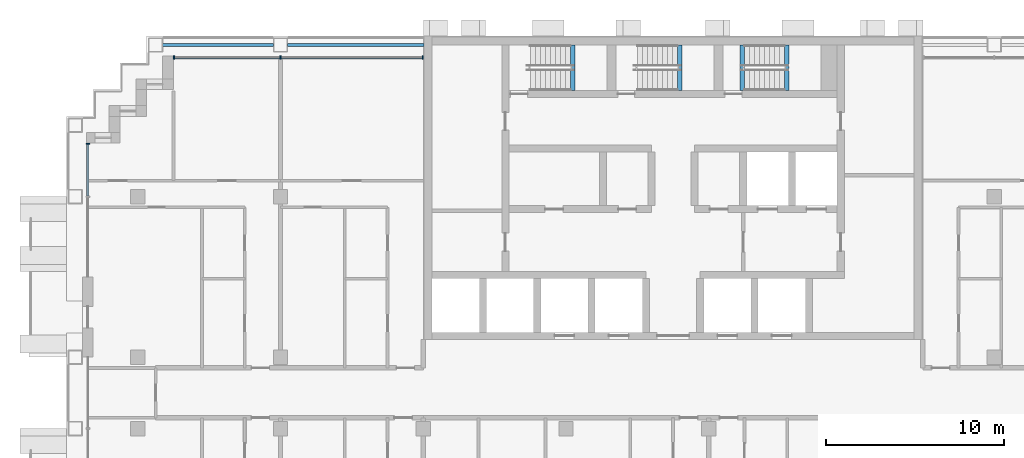
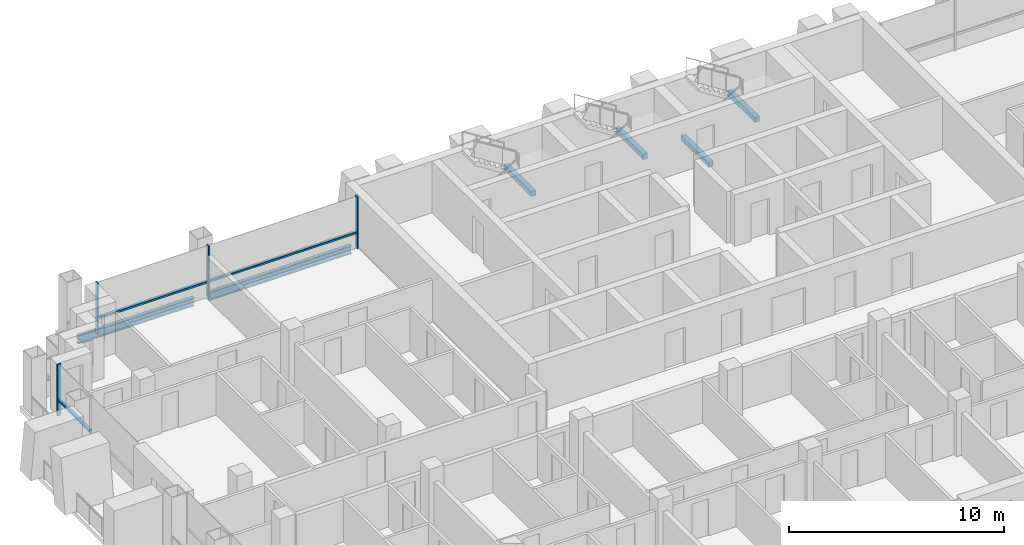
# One storey, part 4 of 17: 7 members, 6 beams, 2 elements without a shape of their own.
"""IFC4 building model written with IfcOpenShell, lengths in metres."""

import ifcopenshell
import ifcopenshell.guid

model = None  # the IFC model being written
_history = None  # IfcOwnerHistory: only IFC2X3 demands one
_inside = {}  # id of a spatial element -> (the spatial element, [elements in it])
_under = {}  # id of a project, library or spatial element -> (it, [spatial elements below it])
_declared = {}  # id of a project -> (the project, [libraries it declares])
_typed = {}  # id of a type object -> (the type object, [elements of that type])
_made_of = {}  # id of a material, layer set ... -> (it, [elements and type objects made of it])


def new_model(schema):
    """Start an empty IFC model of exactly this schema.

    Asked for "IFC4X3", IfcOpenShell would pick the latest addendum, in which some entities
    have other attributes; the version numbers below select the first issue.
    IFC2X3 requires an IfcOwnerHistory on every rooted entity: one is made here for all.
    """
    global model, _history
    if schema == "IFC4X3":
        model = ifcopenshell.file(schema_version=(4, 3, 0, 0))
    else:
        model = ifcopenshell.file(schema=schema)
    _inside.clear()
    _under.clear()
    _declared.clear()
    _typed.clear()
    _made_of.clear()
    _history = None
    if model.schema == "IFC2X3":
        org = make("IfcOrganization", Name="unknown")
        user = make(
            "IfcPersonAndOrganization",
            ThePerson=make("IfcPerson", FamilyName="unknown"),
            TheOrganization=org,
        )
        app = make(
            "IfcApplication",
            ApplicationDeveloper=org,
            Version="unknown",
            ApplicationFullName="unknown",
            ApplicationIdentifier="unknown",
        )
        _history = make(
            "IfcOwnerHistory",
            OwningUser=user,
            OwningApplication=app,
            ChangeAction="ADDED",
            CreationDate=0,
        )
    return model


def make(cls, **values):
    """One entity of the class cls with the attributes given. An attribute that is None is left unset."""
    return model.create_entity(
        cls, **{name: value for name, value in values.items() if value is not None}
    )


def rooted(cls, **values):
    """An entity with a GlobalId (a new one), such as an element, a storey or a relation."""
    return make(cls, GlobalId=ifcopenshell.guid.new(), OwnerHistory=_history, **values)


def si_unit(unit_type, name, prefix=None):
    """IfcSIUnit, for example si_unit("LENGTHUNIT", "METRE", prefix="MILLI")."""
    return make("IfcSIUnit", UnitType=unit_type, Prefix=prefix, Name=name)


def assignment(units):
    """IfcUnitAssignment: the units of a project."""
    return None if units is None else make("IfcUnitAssignment", Units=units)


def point(xyz):
    """IfcCartesianPoint."""
    return None if xyz is None else make("IfcCartesianPoint", Coordinates=xyz)


def direction(xyz):
    """IfcDirection."""
    return None if xyz is None else make("IfcDirection", DirectionRatios=xyz)


def frame(location, z_axis=None, x_axis=None):
    """IfcAxis2Placement3D, a coordinate frame: its origin and axes. An axis left out is left unset."""
    return make(
        "IfcAxis2Placement3D",
        Location=point(location),
        Axis=direction(z_axis),
        RefDirection=direction(x_axis),
    )


def frame_2d(location, x_axis=None):
    """IfcAxis2Placement2D, a coordinate frame in the plane: its origin and x axis."""
    return make(
        "IfcAxis2Placement2D", Location=point(location), RefDirection=direction(x_axis)
    )


def origin():
    """The frame at (0, 0, 0) with its axes left unset."""
    return frame((0.0, 0.0, 0.0))


def origin_2d():
    """The frame at (0, 0) in the plane with its x axis left unset."""
    return frame_2d((0.0, 0.0))


def place(relative_to, where):
    """IfcLocalPlacement: puts the frame where relative to a parent placement (None: the world)."""
    return make(
        "IfcLocalPlacement", PlacementRelTo=relative_to, RelativePlacement=where
    )


def context(
    kind, dimensions, precision=None, world=None, true_north=None, identifier=None
):
    """IfcGeometricRepresentationContext, for example the 3D "Model" context."""
    return make(
        "IfcGeometricRepresentationContext",
        ContextIdentifier=identifier,
        ContextType=kind,
        CoordinateSpaceDimension=dimensions,
        Precision=precision,
        WorldCoordinateSystem=world,
        TrueNorth=true_north,
    )


def subcontext(parent, identifier, kind, view, scale=None):
    """IfcGeometricRepresentationSubContext, for example "Body" below "Model"."""
    return make(
        "IfcGeometricRepresentationSubContext",
        ContextIdentifier=identifier,
        ContextType=kind,
        ParentContext=parent,
        TargetScale=scale,
        TargetView=view,
    )


def project(units=None, contexts=None):
    """IfcProject with its units and contexts."""
    return rooted(
        "IfcProject",
        Name="project",
        RepresentationContexts=contexts,
        UnitsInContext=assignment(units),
    )


def spatial(cls, under=None, at=None, **own):
    """A site, building, storey or space (cls), placed at a placement, below another one or the project."""
    s = rooted(cls, ObjectPlacement=at, **own)
    if under is not None:
        _under.setdefault(under.id(), (under, []))[1].append(s)
    return s


def profile(cls, at=None, kind="AREA", **sizes):
    """A parametric profile (cls). Its sizes go by their IFC names, for example OverallWidth=200.0."""
    return make(cls, ProfileType=kind, Position=at, **sizes)


def rectangle(**sizes):
    """IfcRectangleProfileDef."""
    return profile("IfcRectangleProfileDef", **sizes)


def i_section(**sizes):
    """IfcIShapeProfileDef."""
    return profile("IfcIShapeProfileDef", **sizes)


def extrude(swept, where, along, depth):
    """IfcExtrudedAreaSolid: the profile swept, set in the frame where, extruded along a direction by depth."""
    return make(
        "IfcExtrudedAreaSolid",
        SweptArea=swept,
        Position=where,
        ExtrudedDirection=direction(along),
        Depth=depth,
    )


def shape(context_of_items, identifier, shape_type, items):
    """IfcShapeRepresentation: the items that make up one representation, for example the "Body"."""
    return make(
        "IfcShapeRepresentation",
        ContextOfItems=context_of_items,
        RepresentationIdentifier=identifier,
        RepresentationType=shape_type,
        Items=items,
    )


def material(Name=None, Category=None):
    """IfcMaterial."""
    return make("IfcMaterial", Name=Name, Category=Category)


def material_profile(
    of_material, cross_section, Name=None, Category=None, Priority=None
):
    """IfcMaterialProfile: a cross section and its material."""
    return make(
        "IfcMaterialProfile",
        Name=Name,
        Material=of_material,
        Profile=cross_section,
        Priority=Priority,
        Category=Category,
    )


def profile_set(profiles, Name=None, composite=None):
    """IfcMaterialProfileSet."""
    return make(
        "IfcMaterialProfileSet",
        Name=Name,
        MaterialProfiles=profiles,
        CompositeProfile=composite,
    )


def made_of(thing, what):
    """Note that an element or type object is made of a material, layer set ...; save() writes the relation."""
    if what is not None:
        _made_of.setdefault(what.id(), (what, []))[1].append(thing)
    return thing


def type_object(cls, material=None, **own):
    """A type object (cls), such as IfcWallType, which elements share."""
    return made_of(rooted(cls, **own), material)


def element(
    cls,
    number,
    at=None,
    inside=None,
    cuts=None,
    type_object=None,
    material=None,
    context=None,
    identifier="Body",
    shape_type=None,
    held_by="IfcProductDefinitionShape",
    body=None,
    shapes=None,
    **own,
):
    """One element of the class cls, such as IfcWall. Its Tag is "e" and its number.

    at: its placement. inside: the storey or other place that contains it. cuts: it is an
    opening in that element (IfcRelVoidsElement). A single representation is given by context,
    identifier, shape_type and body (its items); several are given by shapes. held_by: the class
    of the entity that holds the representations. save() writes the other relations.
    """
    e = rooted(cls, Tag="e%d" % number, ObjectPlacement=at, **own)
    if body is not None:
        shapes = [shape(context, identifier, shape_type, body)]
    if shapes is not None:
        e.Representation = make(held_by, Representations=shapes)
    if inside is not None:
        _inside.setdefault(inside.id(), (inside, []))[1].append(e)
    if cuts is not None:
        rooted(
            "IfcRelVoidsElement", RelatingBuildingElement=cuts, RelatedOpeningElement=e
        )
    if type_object is not None:
        _typed.setdefault(type_object.id(), (type_object, []))[1].append(e)
    return made_of(e, material)


def aggregate(whole, parts):
    """IfcRelAggregates: a whole, such as a stair, and the parts it consists of."""
    return rooted("IfcRelAggregates", RelatingObject=whole, RelatedObjects=parts)


def save(model, path):
    """Write the relations noted so far, then the file.

    IfcRelAggregates (storeys below a building ...), IfcRelContainedInSpatialStructure (elements
    in a storey), IfcRelDefinesByType, IfcRelAssociatesMaterial and IfcRelDeclares: one each for
    every whole, place, type object, material and project.
    """
    for whole, parts in _under.values():
        aggregate(whole, parts)
    for where, things in _inside.values():
        rooted(
            "IfcRelContainedInSpatialStructure",
            RelatedElements=things,
            RelatingStructure=where,
        )
    for kind, things in _typed.values():
        rooted("IfcRelDefinesByType", RelatedObjects=things, RelatingType=kind)
    for what, things in _made_of.values():
        rooted("IfcRelAssociatesMaterial", RelatedObjects=things, RelatingMaterial=what)
    for by, libraries in _declared.values():
        rooted("IfcRelDeclares", RelatingContext=by, RelatedDefinitions=libraries)
    model.write(path)


model = new_model("IFC4")

# Units and contexts
model_context = context("Model", 3, precision=1e-05, world=origin(), true_north=direction((0.0, 1.0)))
body_context = subcontext(model_context, "Body", "Model", "MODEL_VIEW")
ifc_project = project(units=[si_unit("LENGTHUNIT", "METRE"), si_unit("AREAUNIT", "SQUARE_METRE"), si_unit("VOLUMEUNIT", "CUBIC_METRE"), si_unit("PLANEANGLEUNIT", "RADIAN"), si_unit("MASSUNIT", "GRAM", prefix="KILO")], contexts=[model_context])

# Site, building, storey
site_placement = place(None, origin())
site = spatial("IfcSite", under=ifc_project, at=site_placement, CompositionType="ELEMENT")
building_placement = place(site_placement, origin())
building = spatial("IfcBuilding", under=site, at=building_placement, Name="Vidyagriha Tower", CompositionType="ELEMENT")
storey_placement = place(building_placement, frame((0.0, 0.0, 119.800048828125)))
storey = spatial("IfcBuildingStorey", under=building, at=storey_placement, Name="L30", CompositionType="ELEMENT", Elevation=119.800048828125)

# Beams
ifc_material_1 = material(Name="Steel ASTM A992 Grade 50", Category="steel")
ifc_material_profile_1 = material_profile(ifc_material_1, i_section(OverallWidth=0.19189453125, OverallDepth=0.46240234375, WebThickness=0.010498046875, FlangeThickness=0.017578125, at=origin_2d()), Name="W18X60")
ifc_profile_set_1 = profile_set([ifc_material_profile_1], Name="Steel ASTM A992 Grade 50")
beam_type_1 = type_object("IfcBeamType", Name="Edge beam W18X60", PredefinedType="SPANDREL", material=ifc_profile_set_1)
beam_1_placement = place(storey_placement, frame((-28.60009765625, 19.5, -0.51123046875), z_axis=(1.0, 0.0, 0.0), x_axis=(0.0, 1.0, 0.0)))
element("IfcBeam", 1, at=beam_1_placement, inside=storey, type_object=beam_type_1, Name="st-beam-L30-NW06", PredefinedType="SPANDREL", context=body_context, shape_type="SweptSolid", body=[
    extrude(i_section(OverallWidth=0.19189453125, OverallDepth=0.46240234375, WebThickness=0.010498046875, FlangeThickness=0.017578125, at=origin_2d()), origin(), (0.0, 0.0, 1.0), 6.2001953125),
])
beam_2_placement = place(storey_placement, frame((-21.60009765625, 19.5, -0.51123046875), z_axis=(1.0, 0.0, 0.0), x_axis=(0.0, 1.0, 0.0)))
element("IfcBeam", 2, at=beam_2_placement, inside=storey, type_object=beam_type_1, Name="st-beam-L30-NC08", PredefinedType="SPANDREL", context=body_context, shape_type="SweptSolid", body=[
    extrude(i_section(OverallWidth=0.19189453125, OverallDepth=0.46240234375, WebThickness=0.010498046875, FlangeThickness=0.017578125, at=origin_2d()), origin(), (0.0, 0.0, 1.0), 7.650146484375),
])

# Curtain wall, members
ifc_material_2 = material(Name="Aluminium and glass curtain wall", Category="aluminium")
curtain_wall_type = type_object("IfcCurtainWallType", Name="Dwelling skin unitised curtain wall", PredefinedType="USERDEFINED", material=ifc_material_2)
curtain_wall_1_placement = place(storey_placement, origin())
curtain_wall_1 = element("IfcCurtainWall", 3, at=curtain_wall_1_placement, inside=storey, type_object=curtain_wall_type, Name="CW1 dwelling skin", ObjectType="UNITISED", PredefinedType="USERDEFINED")
ifc_material_3 = material(Name="Aluminium black anodised", Category="aluminium")
ifc_material_profile_2 = material_profile(ifc_material_3, rectangle(XDim=0.199951171875, YDim=0.070068359375, at=origin_2d()), Name="Mullion 70x200 black aluminium")
ifc_profile_set_2 = profile_set([ifc_material_profile_2], Name="Aluminium black anodised")
member_type_1 = type_object("IfcMemberType", Name="Mullion 70x200 black aluminium", PredefinedType="MULLION", material=ifc_profile_set_2)
member_1_placement = place(storey_placement, frame((-14.034912109375, 18.800048828125, 0.0), z_axis=(0.0, 0.0, 1.0), x_axis=(0.0, -1.0, 0.0)))
member_1 = element("IfcMember", 4, at=member_1_placement, type_object=member_type_1, Name="CW1 mullion 1", PredefinedType="MULLION", context=body_context, shape_type="SweptSolid", body=[
    extrude(rectangle(XDim=0.199951171875, YDim=0.070068359375, at=origin_2d()), origin(), (0.0, 0.0, 1.0), 2.919921875),
])
member_2_placement = place(storey_placement, frame((-22.0, 18.800048828125, 0.0), z_axis=(0.0, 0.0, 1.0), x_axis=(0.0, -1.0, 0.0)))
member_2 = element("IfcMember", 5, at=member_2_placement, type_object=member_type_1, Name="CW1 mullion 2", PredefinedType="MULLION", context=body_context, shape_type="SweptSolid", body=[
    extrude(rectangle(XDim=0.199951171875, YDim=0.070068359375, at=origin_2d()), origin(), (0.0, 0.0, 1.0), 2.919921875),
])
member_3_placement = place(storey_placement, frame((-27.965087890625, 18.800048828125, 0.0), z_axis=(0.0, 0.0, 1.0), x_axis=(0.0, -1.0, 0.0)))
member_3 = element("IfcMember", 6, at=member_3_placement, type_object=member_type_1, Name="CW1 mullion 3", PredefinedType="MULLION", context=body_context, shape_type="SweptSolid", body=[
    extrude(rectangle(XDim=0.199951171875, YDim=0.070068359375, at=origin_2d()), origin(), (0.0, 0.0, 1.0), 2.919921875),
])

# Curtain wall, member
curtain_wall_2_placement = place(storey_placement, origin())
curtain_wall_2 = element("IfcCurtainWall", 7, at=curtain_wall_2_placement, inside=storey, type_object=curtain_wall_type, Name="CW1 dwelling skin", ObjectType="UNITISED", PredefinedType="USERDEFINED")
member_4_placement = place(storey_placement, frame((-32.800048828125, 13.965087890625, 0.0)))
member_4 = element("IfcMember", 8, at=member_4_placement, type_object=member_type_1, Name="CW1 mullion 1", PredefinedType="MULLION", context=body_context, shape_type="SweptSolid", body=[
    extrude(rectangle(XDim=0.199951171875, YDim=0.070068359375, at=origin_2d()), origin(), (0.0, 0.0, 1.0), 2.919921875),
])

# Beams
ifc_material_4 = material(Name="Concrete C40/50", Category="concrete")
ifc_material_profile_3 = material_profile(ifc_material_4, rectangle(XDim=0.25, YDim=0.300048828125, at=origin_2d()), Name="Stair landing bearing beam 250x300")
ifc_profile_set_3 = profile_set([ifc_material_profile_3], Name="Concrete C40/50")
beam_type_2 = type_object("IfcBeamType", Name="Stair landing bearing beam 250x300", PredefinedType="BEAM", material=ifc_profile_set_3)
for number, where, z_axis, x_axis, name in (
    (9, (3.875, 16.949951171875, -0.429931640625), (0.0, 1.0, 0.0), (-1.0, 0.0, 0.0), "ST3 floor landing bearing beam L30"),
    (10, (-5.635009765625, 16.949951171875, 1.25), (0.0, 1.0, 0.0), (-1.0, 0.0, 0.0), "ST1 landing bearing beam L30"),
    (11, (0.364990234375, 16.949951171875, 1.25), (0.0, 1.0, 0.0), (-1.0, 0.0, 0.0), "ST2 landing bearing beam L30"),
    (12, (6.364990234375, 16.949951171875, 1.25), (0.0, 1.0, 0.0), (-1.0, 0.0, 0.0), "ST3 landing bearing beam L30"),
):
    element("IfcBeam", number, at=place(storey_placement, frame(where, z_axis=z_axis, x_axis=x_axis)), inside=storey, type_object=beam_type_2, Name=name, PredefinedType="BEAM", context=body_context, shape_type="SweptSolid", body=[
        extrude(rectangle(XDim=0.25, YDim=0.300048828125, at=origin_2d()), origin(), (0.0, 0.0, 1.0), 2.550048828125),
    ])

# Member
ifc_material_5 = material(Name="Aluminium black anodised", Category="aluminium")
ifc_material_profile_4 = material_profile(ifc_material_5, rectangle(XDim=0.159912109375, YDim=0.10009765625, at=origin_2d()), Name="Transom 100x160 black aluminium")
ifc_profile_set_4 = profile_set([ifc_material_profile_4], Name="Aluminium black anodised")
member_type_2 = type_object("IfcMemberType", Name="Transom 100x160 black aluminium", PredefinedType="USERDEFINED", material=ifc_profile_set_4)
member_5_placement = place(storey_placement, frame((-14.070068359375, 18.800048828125, 0.89990234375), z_axis=(-1.0, 0.0, 0.0), x_axis=(0.0, -1.0, 0.0)))
member_5 = element("IfcMember", 13, at=member_5_placement, type_object=member_type_2, Name="CW1 transom 1.1", ObjectType="TRANSOM", PredefinedType="USERDEFINED", context=body_context, shape_type="SweptSolid", body=[
    extrude(rectangle(XDim=0.159912109375, YDim=0.10009765625, at=origin_2d()), origin(), (0.0, 0.0, 1.0), 7.89501953125),
])

member_6_placement = place(storey_placement, frame((-22.034912109375, 18.800048828125, 0.89990234375), z_axis=(-1.0, 0.0, 0.0), x_axis=(0.0, -1.0, 0.0)))
member_6 = element("IfcMember", 14, at=member_6_placement, type_object=member_type_2, Name="CW1 transom 2.1", ObjectType="TRANSOM", PredefinedType="USERDEFINED", context=body_context, shape_type="SweptSolid", body=[
    extrude(rectangle(XDim=0.159912109375, YDim=0.10009765625, at=origin_2d()), origin(), (0.0, 0.0, 1.0), 5.89501953125),
])

aggregate(curtain_wall_1, [member_1, member_2, member_3, member_5, member_6])

member_7_placement = place(storey_placement, frame((-32.800048828125, 13.929931640625, 0.89990234375), z_axis=(0.0, -1.0, 0.0), x_axis=(1.0, 0.0, 0.0)))
member_7 = element("IfcMember", 15, at=member_7_placement, type_object=member_type_2, Name="CW1 transom 1.1", ObjectType="TRANSOM", PredefinedType="USERDEFINED", context=body_context, shape_type="SweptSolid", body=[
    extrude(rectangle(XDim=0.159912109375, YDim=0.10009765625, at=origin_2d()), origin(), (0.0, 0.0, 1.0), 2.89501953125),
])

aggregate(curtain_wall_2, [member_4, member_7])

save(model, "model.ifc")
